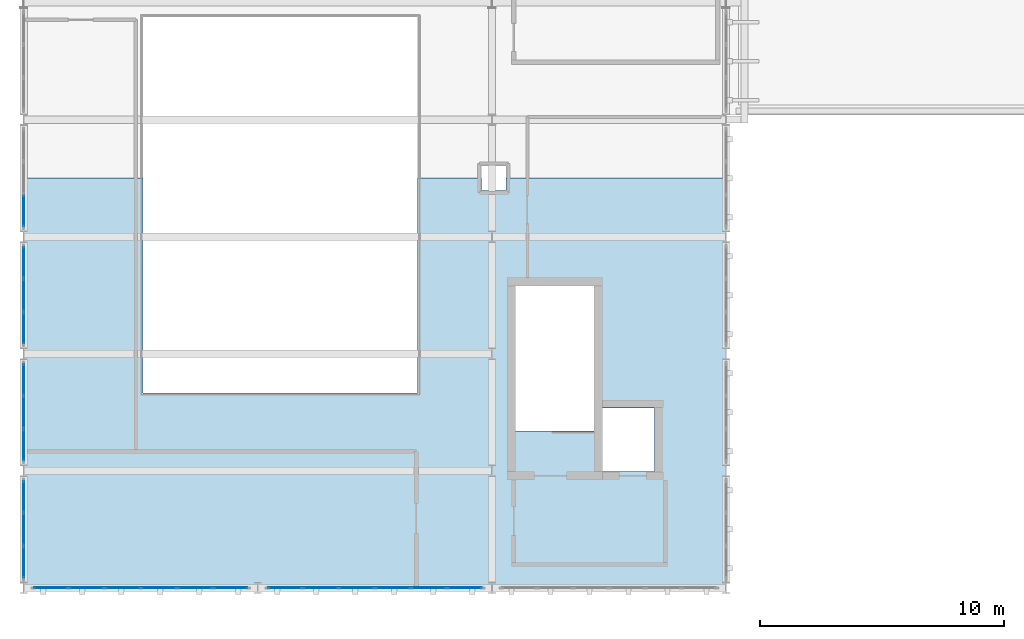
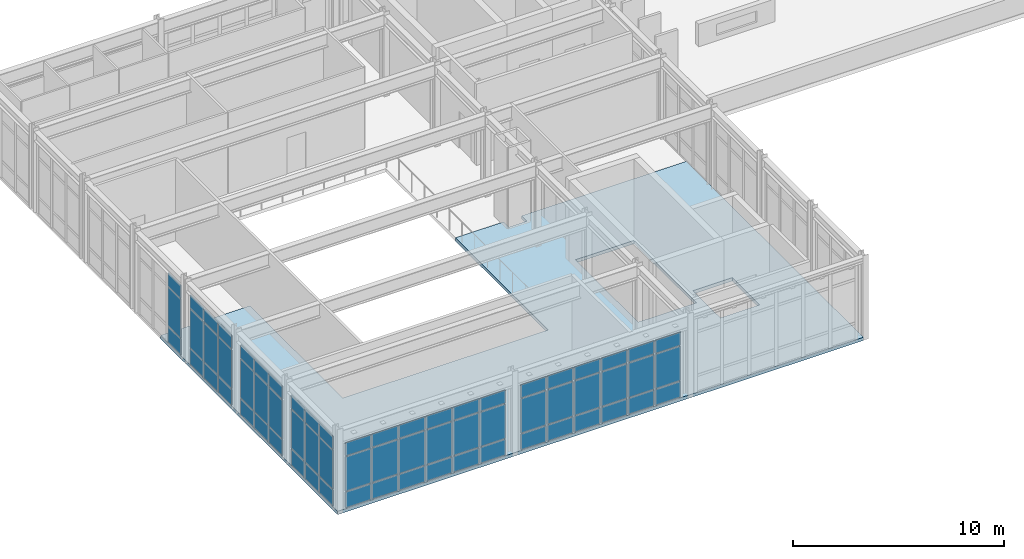
# One storey, part 10 of 16: 66 plates, 1 slab, 6 elements without a shape of their own.
"""IFC4 building model written with IfcOpenShell, lengths in metres."""

from ifc_helpers import new_model, si_unit, direction, frame, origin, origin_2d, place, context, subcontext, project, spatial, polyline, rectangle, outline, extrude, material, layer, layer_set, type_object, element, aggregate, save


model = new_model("IFC4")

# Units and contexts
model_context = context("Model", 3, precision=1e-05, world=origin(), true_north=direction((0.0, 1.0)))
body_context = subcontext(model_context, "Body", "Model", "MODEL_VIEW")
ifc_project = project(units=[si_unit("LENGTHUNIT", "METRE"), si_unit("AREAUNIT", "SQUARE_METRE"), si_unit("VOLUMEUNIT", "CUBIC_METRE"), si_unit("PLANEANGLEUNIT", "RADIAN"), si_unit("MASSUNIT", "GRAM", prefix="KILO")], contexts=[model_context])

# Site, building, storey
site_placement = place(None, origin())
site = spatial("IfcSite", under=ifc_project, at=site_placement, CompositionType="ELEMENT")
building_placement = place(site_placement, origin())
building = spatial("IfcBuilding", under=site, at=building_placement, Name="Nordkorset Police Headquarters", CompositionType="ELEMENT")
storey_placement = place(building_placement, frame((0.0, 0.0, 31.14990234375)))
storey = spatial("IfcBuildingStorey", under=building, at=storey_placement, Name="L07", CompositionType="ELEMENT", Elevation=31.14990234375)

# Curtain wall, plates
ifc_material_1 = material(Name="Aluminium alloy AW-6060", Category="aluminium")
ifc_layer_1 = layer(ifc_material_1, 0.179931640625, Name="Aluminium alloy AW-6060")
ifc_layer_set_1 = layer_set([ifc_layer_1], Name="Aluminium alloy AW-6060")
curtain_wall_type_1 = type_object("IfcCurtainWallType", Name="CW_Unit_408x415", PredefinedType="USERDEFINED", material=ifc_layer_set_1)
curtain_wall_1_placement = place(storey_placement, origin())
curtain_wall_1 = element("IfcCurtainWall", 1, at=curtain_wall_1_placement, inside=storey, type_object=curtain_wall_type_1, Name="Unitised Curtain Wall L07 V1W-0", ObjectType="UNITISED CURTAIN WALL", PredefinedType="USERDEFINED")
ifc_material_2 = material(Name="Low-iron triple glazing", Category="glass")
ifc_layer_2 = layer(ifc_material_2, 0.035888671875, Name="Low-iron triple glazing")
ifc_layer_set_2 = layer_set([ifc_layer_2], Name="Low-iron triple glazing")
plate_type = type_object("IfcPlateType", Name="CW_Panel_TripleGlazing_36", PredefinedType="CURTAIN_PANEL", material=ifc_layer_set_2)
plate_1_placement = place(storey_placement, frame((0.0, 84.25634765625, 0.06494140625), z_axis=(0.0, 0.0, 1.0), x_axis=(0.0, 1.0, 0.0)))
plate_1 = element("IfcPlate", 2, at=plate_1_placement, type_object=plate_type, Name="CW-101 panel 1.1", PredefinedType="CURTAIN_PANEL", context=body_context, shape_type="SweptSolid", body=[
    extrude(rectangle(XDim=1.262451171875, YDim=0.035888671875, at=origin_2d()), origin(), (0.0, 0.0, 1.0), 0.902587890625),
])
plate_2_placement = place(storey_placement, frame((0.0, 84.25634765625, 1.03271484375), z_axis=(0.0, 0.0, 1.0), x_axis=(0.0, 1.0, 0.0)))
plate_2 = element("IfcPlate", 3, at=plate_2_placement, type_object=plate_type, Name="CW-101 panel 1.2", PredefinedType="CURTAIN_PANEL", context=body_context, shape_type="SweptSolid", body=[
    extrude(rectangle(XDim=1.262451171875, YDim=0.035888671875, at=origin_2d()), origin(), (0.0, 0.0, 1.0), 2.235107421875),
])
plate_3_placement = place(storey_placement, frame((0.0, 84.25634765625, 3.33251953125), z_axis=(0.0, 0.0, 1.0), x_axis=(0.0, 1.0, 0.0)))
plate_3 = element("IfcPlate", 4, at=plate_3_placement, type_object=plate_type, Name="CW-101 panel 1.3", PredefinedType="CURTAIN_PANEL", context=body_context, shape_type="SweptSolid", body=[
    extrude(rectangle(XDim=1.262451171875, YDim=0.035888671875, at=origin_2d()), origin(), (0.0, 0.0, 1.0), 0.75244140625),
])
plate_4_placement = place(storey_placement, frame((0.0, 85.60009765625, 0.06494140625), z_axis=(0.0, 0.0, 1.0), x_axis=(0.0, 1.0, 0.0)))
plate_4 = element("IfcPlate", 5, at=plate_4_placement, type_object=plate_type, Name="CW-101 panel 2.1", PredefinedType="CURTAIN_PANEL", context=body_context, shape_type="SweptSolid", body=[
    extrude(rectangle(XDim=1.294921875, YDim=0.035888671875, at=origin_2d()), origin(), (0.0, 0.0, 1.0), 0.902587890625),
])
plate_5_placement = place(storey_placement, frame((0.0, 85.60009765625, 1.03271484375), z_axis=(0.0, 0.0, 1.0), x_axis=(0.0, 1.0, 0.0)))
plate_5 = element("IfcPlate", 6, at=plate_5_placement, type_object=plate_type, Name="CW-101 panel 2.2", PredefinedType="CURTAIN_PANEL", context=body_context, shape_type="SweptSolid", body=[
    extrude(rectangle(XDim=1.294921875, YDim=0.035888671875, at=origin_2d()), origin(), (0.0, 0.0, 1.0), 2.235107421875),
])
plate_6_placement = place(storey_placement, frame((0.0, 85.60009765625, 3.33251953125), z_axis=(0.0, 0.0, 1.0), x_axis=(0.0, 1.0, 0.0)))
plate_6 = element("IfcPlate", 7, at=plate_6_placement, type_object=plate_type, Name="CW-101 panel 2.3", PredefinedType="CURTAIN_PANEL", context=body_context, shape_type="SweptSolid", body=[
    extrude(rectangle(XDim=1.294921875, YDim=0.035888671875, at=origin_2d()), origin(), (0.0, 0.0, 1.0), 0.75244140625),
])
plate_7_placement = place(storey_placement, frame((0.0, 86.94384765625, 0.06494140625), z_axis=(0.0, 0.0, 1.0), x_axis=(0.0, 1.0, 0.0)))
plate_7 = element("IfcPlate", 8, at=plate_7_placement, type_object=plate_type, Name="CW-101 panel 3.1", PredefinedType="CURTAIN_PANEL", context=body_context, shape_type="SweptSolid", body=[
    extrude(rectangle(XDim=1.262451171875, YDim=0.035888671875, at=origin_2d()), origin(), (0.0, 0.0, 1.0), 0.902587890625),
])
plate_8_placement = place(storey_placement, frame((0.0, 86.94384765625, 1.03271484375), z_axis=(0.0, 0.0, 1.0), x_axis=(0.0, 1.0, 0.0)))
plate_8 = element("IfcPlate", 9, at=plate_8_placement, type_object=plate_type, Name="CW-101 panel 3.2", PredefinedType="CURTAIN_PANEL", context=body_context, shape_type="SweptSolid", body=[
    extrude(rectangle(XDim=1.262451171875, YDim=0.035888671875, at=origin_2d()), origin(), (0.0, 0.0, 1.0), 2.235107421875),
])
plate_9_placement = place(storey_placement, frame((0.0, 86.94384765625, 3.33251953125), z_axis=(0.0, 0.0, 1.0), x_axis=(0.0, 1.0, 0.0)))
plate_9 = element("IfcPlate", 10, at=plate_9_placement, type_object=plate_type, Name="CW-101 panel 3.3", PredefinedType="CURTAIN_PANEL", context=body_context, shape_type="SweptSolid", body=[
    extrude(rectangle(XDim=1.262451171875, YDim=0.035888671875, at=origin_2d()), origin(), (0.0, 0.0, 1.0), 0.75244140625),
])
aggregate(curtain_wall_1, [plate_1, plate_2, plate_3, plate_4, plate_5, plate_6, plate_7, plate_8, plate_9])

curtain_wall_2_placement = place(storey_placement, origin())
curtain_wall_2 = element("IfcCurtainWall", 11, at=curtain_wall_2_placement, inside=storey, type_object=curtain_wall_type_1, Name="Unitised Curtain Wall L07 V1W-1", ObjectType="UNITISED CURTAIN WALL", PredefinedType="USERDEFINED")
plate_10_placement = place(storey_placement, frame((0.0, 89.05615234375, 0.06494140625), z_axis=(0.0, 0.0, 1.0), x_axis=(0.0, 1.0, 0.0)))
plate_10 = element("IfcPlate", 12, at=plate_10_placement, type_object=plate_type, Name="CW-101 panel 1.1", PredefinedType="CURTAIN_PANEL", context=body_context, shape_type="SweptSolid", body=[
    extrude(rectangle(XDim=1.262451171875, YDim=0.035888671875, at=origin_2d()), origin(), (0.0, 0.0, 1.0), 0.902587890625),
])
plate_11_placement = place(storey_placement, frame((0.0, 89.05615234375, 1.03271484375), z_axis=(0.0, 0.0, 1.0), x_axis=(0.0, 1.0, 0.0)))
plate_11 = element("IfcPlate", 13, at=plate_11_placement, type_object=plate_type, Name="CW-101 panel 1.2", PredefinedType="CURTAIN_PANEL", context=body_context, shape_type="SweptSolid", body=[
    extrude(rectangle(XDim=1.262451171875, YDim=0.035888671875, at=origin_2d()), origin(), (0.0, 0.0, 1.0), 2.235107421875),
])
plate_12_placement = place(storey_placement, frame((0.0, 89.05615234375, 3.33251953125), z_axis=(0.0, 0.0, 1.0), x_axis=(0.0, 1.0, 0.0)))
plate_12 = element("IfcPlate", 14, at=plate_12_placement, type_object=plate_type, Name="CW-101 panel 1.3", PredefinedType="CURTAIN_PANEL", context=body_context, shape_type="SweptSolid", body=[
    extrude(rectangle(XDim=1.262451171875, YDim=0.035888671875, at=origin_2d()), origin(), (0.0, 0.0, 1.0), 0.75244140625),
])
plate_13_placement = place(storey_placement, frame((0.0, 90.39990234375, 0.06494140625), z_axis=(0.0, 0.0, 1.0), x_axis=(0.0, 1.0, 0.0)))
plate_13 = element("IfcPlate", 15, at=plate_13_placement, type_object=plate_type, Name="CW-101 panel 2.1", PredefinedType="CURTAIN_PANEL", context=body_context, shape_type="SweptSolid", body=[
    extrude(rectangle(XDim=1.294921875, YDim=0.035888671875, at=origin_2d()), origin(), (0.0, 0.0, 1.0), 0.902587890625),
])
plate_14_placement = place(storey_placement, frame((0.0, 90.39990234375, 1.03271484375), z_axis=(0.0, 0.0, 1.0), x_axis=(0.0, 1.0, 0.0)))
plate_14 = element("IfcPlate", 16, at=plate_14_placement, type_object=plate_type, Name="CW-101 panel 2.2", PredefinedType="CURTAIN_PANEL", context=body_context, shape_type="SweptSolid", body=[
    extrude(rectangle(XDim=1.294921875, YDim=0.035888671875, at=origin_2d()), origin(), (0.0, 0.0, 1.0), 2.235107421875),
])
plate_15_placement = place(storey_placement, frame((0.0, 90.39990234375, 3.33251953125), z_axis=(0.0, 0.0, 1.0), x_axis=(0.0, 1.0, 0.0)))
plate_15 = element("IfcPlate", 17, at=plate_15_placement, type_object=plate_type, Name="CW-101 panel 2.3", PredefinedType="CURTAIN_PANEL", context=body_context, shape_type="SweptSolid", body=[
    extrude(rectangle(XDim=1.294921875, YDim=0.035888671875, at=origin_2d()), origin(), (0.0, 0.0, 1.0), 0.75244140625),
])
plate_16_placement = place(storey_placement, frame((0.0, 91.74365234375, 0.06494140625), z_axis=(0.0, 0.0, 1.0), x_axis=(0.0, 1.0, 0.0)))
plate_16 = element("IfcPlate", 18, at=plate_16_placement, type_object=plate_type, Name="CW-101 panel 3.1", PredefinedType="CURTAIN_PANEL", context=body_context, shape_type="SweptSolid", body=[
    extrude(rectangle(XDim=1.262451171875, YDim=0.035888671875, at=origin_2d()), origin(), (0.0, 0.0, 1.0), 0.902587890625),
])
plate_17_placement = place(storey_placement, frame((0.0, 91.74365234375, 1.03271484375), z_axis=(0.0, 0.0, 1.0), x_axis=(0.0, 1.0, 0.0)))
plate_17 = element("IfcPlate", 19, at=plate_17_placement, type_object=plate_type, Name="CW-101 panel 3.2", PredefinedType="CURTAIN_PANEL", context=body_context, shape_type="SweptSolid", body=[
    extrude(rectangle(XDim=1.262451171875, YDim=0.035888671875, at=origin_2d()), origin(), (0.0, 0.0, 1.0), 2.235107421875),
])
plate_18_placement = place(storey_placement, frame((0.0, 91.74365234375, 3.33251953125), z_axis=(0.0, 0.0, 1.0), x_axis=(0.0, 1.0, 0.0)))
plate_18 = element("IfcPlate", 20, at=plate_18_placement, type_object=plate_type, Name="CW-101 panel 3.3", PredefinedType="CURTAIN_PANEL", context=body_context, shape_type="SweptSolid", body=[
    extrude(rectangle(XDim=1.262451171875, YDim=0.035888671875, at=origin_2d()), origin(), (0.0, 0.0, 1.0), 0.75244140625),
])
aggregate(curtain_wall_2, [plate_10, plate_11, plate_12, plate_13, plate_14, plate_15, plate_16, plate_17, plate_18])

curtain_wall_3_placement = place(storey_placement, origin())
curtain_wall_3 = element("IfcCurtainWall", 21, at=curtain_wall_3_placement, inside=storey, type_object=curtain_wall_type_1, Name="Unitised Curtain Wall L07 V1W-2", ObjectType="UNITISED CURTAIN WALL", PredefinedType="USERDEFINED")
plate_19_placement = place(storey_placement, frame((0.0, 93.856201171875, 0.06494140625), z_axis=(0.0, 0.0, 1.0), x_axis=(0.0, 1.0, 0.0)))
plate_19 = element("IfcPlate", 22, at=plate_19_placement, type_object=plate_type, Name="CW-101 panel 1.1", PredefinedType="CURTAIN_PANEL", context=body_context, shape_type="SweptSolid", body=[
    extrude(rectangle(XDim=1.262451171875, YDim=0.035888671875, at=origin_2d()), origin(), (0.0, 0.0, 1.0), 0.902587890625),
])
plate_20_placement = place(storey_placement, frame((0.0, 93.856201171875, 1.03271484375), z_axis=(0.0, 0.0, 1.0), x_axis=(0.0, 1.0, 0.0)))
plate_20 = element("IfcPlate", 23, at=plate_20_placement, type_object=plate_type, Name="CW-101 panel 1.2", PredefinedType="CURTAIN_PANEL", context=body_context, shape_type="SweptSolid", body=[
    extrude(rectangle(XDim=1.262451171875, YDim=0.035888671875, at=origin_2d()), origin(), (0.0, 0.0, 1.0), 2.235107421875),
])
plate_21_placement = place(storey_placement, frame((0.0, 93.856201171875, 3.33251953125), z_axis=(0.0, 0.0, 1.0), x_axis=(0.0, 1.0, 0.0)))
plate_21 = element("IfcPlate", 24, at=plate_21_placement, type_object=plate_type, Name="CW-101 panel 1.3", PredefinedType="CURTAIN_PANEL", context=body_context, shape_type="SweptSolid", body=[
    extrude(rectangle(XDim=1.262451171875, YDim=0.035888671875, at=origin_2d()), origin(), (0.0, 0.0, 1.0), 0.75244140625),
])
plate_22_placement = place(storey_placement, frame((0.0, 95.199951171875, 0.06494140625), z_axis=(0.0, 0.0, 1.0), x_axis=(0.0, 1.0, 0.0)))
plate_22 = element("IfcPlate", 25, at=plate_22_placement, type_object=plate_type, Name="CW-101 panel 2.1", PredefinedType="CURTAIN_PANEL", context=body_context, shape_type="SweptSolid", body=[
    extrude(rectangle(XDim=1.294921875, YDim=0.035888671875, at=origin_2d()), origin(), (0.0, 0.0, 1.0), 0.902587890625),
])
plate_23_placement = place(storey_placement, frame((0.0, 95.199951171875, 1.03271484375), z_axis=(0.0, 0.0, 1.0), x_axis=(0.0, 1.0, 0.0)))
plate_23 = element("IfcPlate", 26, at=plate_23_placement, type_object=plate_type, Name="CW-101 panel 2.2", PredefinedType="CURTAIN_PANEL", context=body_context, shape_type="SweptSolid", body=[
    extrude(rectangle(XDim=1.294921875, YDim=0.035888671875, at=origin_2d()), origin(), (0.0, 0.0, 1.0), 2.235107421875),
])
plate_24_placement = place(storey_placement, frame((0.0, 95.199951171875, 3.33251953125), z_axis=(0.0, 0.0, 1.0), x_axis=(0.0, 1.0, 0.0)))
plate_24 = element("IfcPlate", 27, at=plate_24_placement, type_object=plate_type, Name="CW-101 panel 2.3", PredefinedType="CURTAIN_PANEL", context=body_context, shape_type="SweptSolid", body=[
    extrude(rectangle(XDim=1.294921875, YDim=0.035888671875, at=origin_2d()), origin(), (0.0, 0.0, 1.0), 0.75244140625),
])
plate_25_placement = place(storey_placement, frame((0.0, 96.543701171875, 0.06494140625), z_axis=(0.0, 0.0, 1.0), x_axis=(0.0, 1.0, 0.0)))
plate_25 = element("IfcPlate", 28, at=plate_25_placement, type_object=plate_type, Name="CW-101 panel 3.1", PredefinedType="CURTAIN_PANEL", context=body_context, shape_type="SweptSolid", body=[
    extrude(rectangle(XDim=1.262451171875, YDim=0.035888671875, at=origin_2d()), origin(), (0.0, 0.0, 1.0), 0.902587890625),
])
plate_26_placement = place(storey_placement, frame((0.0, 96.543701171875, 1.03271484375), z_axis=(0.0, 0.0, 1.0), x_axis=(0.0, 1.0, 0.0)))
plate_26 = element("IfcPlate", 29, at=plate_26_placement, type_object=plate_type, Name="CW-101 panel 3.2", PredefinedType="CURTAIN_PANEL", context=body_context, shape_type="SweptSolid", body=[
    extrude(rectangle(XDim=1.262451171875, YDim=0.035888671875, at=origin_2d()), origin(), (0.0, 0.0, 1.0), 2.235107421875),
])
plate_27_placement = place(storey_placement, frame((0.0, 96.543701171875, 3.33251953125), z_axis=(0.0, 0.0, 1.0), x_axis=(0.0, 1.0, 0.0)))
plate_27 = element("IfcPlate", 30, at=plate_27_placement, type_object=plate_type, Name="CW-101 panel 3.3", PredefinedType="CURTAIN_PANEL", context=body_context, shape_type="SweptSolid", body=[
    extrude(rectangle(XDim=1.262451171875, YDim=0.035888671875, at=origin_2d()), origin(), (0.0, 0.0, 1.0), 0.75244140625),
])
aggregate(curtain_wall_3, [plate_19, plate_20, plate_21, plate_22, plate_23, plate_24, plate_25, plate_26, plate_27])

curtain_wall_4_placement = place(storey_placement, origin())
curtain_wall_4 = element("IfcCurtainWall", 31, at=curtain_wall_4_placement, inside=storey, type_object=curtain_wall_type_1, Name="Unitised Curtain Wall L07 V1W-3", ObjectType="UNITISED CURTAIN WALL", PredefinedType="USERDEFINED")
plate_28_placement = place(storey_placement, frame((0.0, 98.65625, 0.06494140625), z_axis=(0.0, 0.0, 1.0), x_axis=(0.0, 1.0, 0.0)))
plate_28 = element("IfcPlate", 32, at=plate_28_placement, type_object=plate_type, Name="CW-101 panel 1.1", PredefinedType="CURTAIN_PANEL", context=body_context, shape_type="SweptSolid", body=[
    extrude(rectangle(XDim=1.262451171875, YDim=0.035888671875, at=origin_2d()), origin(), (0.0, 0.0, 1.0), 0.902587890625),
])
plate_29_placement = place(storey_placement, frame((0.0, 98.65625, 1.03271484375), z_axis=(0.0, 0.0, 1.0), x_axis=(0.0, 1.0, 0.0)))
plate_29 = element("IfcPlate", 33, at=plate_29_placement, type_object=plate_type, Name="CW-101 panel 1.2", PredefinedType="CURTAIN_PANEL", context=body_context, shape_type="SweptSolid", body=[
    extrude(rectangle(XDim=1.262451171875, YDim=0.035888671875, at=origin_2d()), origin(), (0.0, 0.0, 1.0), 2.235107421875),
])
plate_30_placement = place(storey_placement, frame((0.0, 98.65625, 3.33251953125), z_axis=(0.0, 0.0, 1.0), x_axis=(0.0, 1.0, 0.0)))
plate_30 = element("IfcPlate", 34, at=plate_30_placement, type_object=plate_type, Name="CW-101 panel 1.3", PredefinedType="CURTAIN_PANEL", context=body_context, shape_type="SweptSolid", body=[
    extrude(rectangle(XDim=1.262451171875, YDim=0.035888671875, at=origin_2d()), origin(), (0.0, 0.0, 1.0), 0.75244140625),
])
aggregate(curtain_wall_4, [plate_28, plate_29, plate_30])

ifc_material_3 = material(Name="Aluminium alloy AW-6060", Category="aluminium")
ifc_layer_3 = layer(ifc_material_3, 0.179931640625, Name="Aluminium alloy AW-6060")
ifc_layer_set_3 = layer_set([ifc_layer_3], Name="Aluminium alloy AW-6060")
curtain_wall_type_2 = type_object("IfcCurtainWallType", Name="CW_Unit_888x389", PredefinedType="USERDEFINED", material=ifc_layer_set_3)
curtain_wall_5_placement = place(storey_placement, origin())
curtain_wall_5 = element("IfcCurtainWall", 35, at=curtain_wall_5_placement, inside=storey, type_object=curtain_wall_type_2, Name="Unitised Curtain Wall L07 V1S-0", ObjectType="UNITISED CURTAIN WALL", PredefinedType="USERDEFINED")
plate_31_placement = place(storey_placement, frame((1.1162109375, 83.199951171875, 0.06494140625), z_axis=(0.0, 0.0, 1.0), x_axis=(1.0, 0.0, 0.0)))
plate_31 = element("IfcPlate", 36, at=plate_31_placement, type_object=plate_type, Name="CW-76 panel 1.1", PredefinedType="CURTAIN_PANEL", context=body_context, shape_type="SweptSolid", body=[
    extrude(rectangle(XDim=1.382568359375, YDim=0.035888671875, at=origin_2d()), origin(), (0.0, 0.0, 1.0), 0.902587890625),
])
plate_32_placement = place(storey_placement, frame((1.1162109375, 83.199951171875, 1.032470703125), z_axis=(0.0, 0.0, 1.0), x_axis=(1.0, 0.0, 0.0)))
plate_32 = element("IfcPlate", 37, at=plate_32_placement, type_object=plate_type, Name="CW-76 panel 1.2", PredefinedType="CURTAIN_PANEL", context=body_context, shape_type="SweptSolid", body=[
    extrude(rectangle(XDim=1.382568359375, YDim=0.035888671875, at=origin_2d()), origin(), (0.0, 0.0, 1.0), 1.97509765625),
])
plate_33_placement = place(storey_placement, frame((1.1162109375, 83.199951171875, 3.072509765625), z_axis=(0.0, 0.0, 1.0), x_axis=(1.0, 0.0, 0.0)))
plate_33 = element("IfcPlate", 38, at=plate_33_placement, type_object=plate_type, Name="CW-76 panel 1.3", PredefinedType="CURTAIN_PANEL", context=body_context, shape_type="SweptSolid", body=[
    extrude(rectangle(XDim=1.382568359375, YDim=0.035888671875, at=origin_2d()), origin(), (0.0, 0.0, 1.0), 0.75244140625),
])
plate_34_placement = place(storey_placement, frame((2.580078125, 83.199951171875, 0.06494140625), z_axis=(0.0, 0.0, 1.0), x_axis=(1.0, 0.0, 0.0)))
plate_34 = element("IfcPlate", 39, at=plate_34_placement, type_object=plate_type, Name="CW-76 panel 2.1", PredefinedType="CURTAIN_PANEL", context=body_context, shape_type="SweptSolid", body=[
    extrude(rectangle(XDim=1.4150390625, YDim=0.035888671875, at=origin_2d()), origin(), (0.0, 0.0, 1.0), 0.902587890625),
])
plate_35_placement = place(storey_placement, frame((2.580078125, 83.199951171875, 1.032470703125), z_axis=(0.0, 0.0, 1.0), x_axis=(1.0, 0.0, 0.0)))
plate_35 = element("IfcPlate", 40, at=plate_35_placement, type_object=plate_type, Name="CW-76 panel 2.2", PredefinedType="CURTAIN_PANEL", context=body_context, shape_type="SweptSolid", body=[
    extrude(rectangle(XDim=1.4150390625, YDim=0.035888671875, at=origin_2d()), origin(), (0.0, 0.0, 1.0), 1.97509765625),
])
plate_36_placement = place(storey_placement, frame((2.580078125, 83.199951171875, 3.072509765625), z_axis=(0.0, 0.0, 1.0), x_axis=(1.0, 0.0, 0.0)))
plate_36 = element("IfcPlate", 41, at=plate_36_placement, type_object=plate_type, Name="CW-76 panel 2.3", PredefinedType="CURTAIN_PANEL", context=body_context, shape_type="SweptSolid", body=[
    extrude(rectangle(XDim=1.4150390625, YDim=0.035888671875, at=origin_2d()), origin(), (0.0, 0.0, 1.0), 0.75244140625),
])
plate_37_placement = place(storey_placement, frame((4.06005859375, 83.199951171875, 0.06494140625), z_axis=(0.0, 0.0, 1.0), x_axis=(1.0, 0.0, 0.0)))
plate_37 = element("IfcPlate", 42, at=plate_37_placement, type_object=plate_type, Name="CW-76 panel 3.1", PredefinedType="CURTAIN_PANEL", context=body_context, shape_type="SweptSolid", body=[
    extrude(rectangle(XDim=1.4150390625, YDim=0.035888671875, at=origin_2d()), origin(), (0.0, 0.0, 1.0), 0.902587890625),
])
plate_38_placement = place(storey_placement, frame((4.06005859375, 83.199951171875, 1.032470703125), z_axis=(0.0, 0.0, 1.0), x_axis=(1.0, 0.0, 0.0)))
plate_38 = element("IfcPlate", 43, at=plate_38_placement, type_object=plate_type, Name="CW-76 panel 3.2", PredefinedType="CURTAIN_PANEL", context=body_context, shape_type="SweptSolid", body=[
    extrude(rectangle(XDim=1.4150390625, YDim=0.035888671875, at=origin_2d()), origin(), (0.0, 0.0, 1.0), 1.97509765625),
])
plate_39_placement = place(storey_placement, frame((4.06005859375, 83.199951171875, 3.072509765625), z_axis=(0.0, 0.0, 1.0), x_axis=(1.0, 0.0, 0.0)))
plate_39 = element("IfcPlate", 44, at=plate_39_placement, type_object=plate_type, Name="CW-76 panel 3.3", PredefinedType="CURTAIN_PANEL", context=body_context, shape_type="SweptSolid", body=[
    extrude(rectangle(XDim=1.4150390625, YDim=0.035888671875, at=origin_2d()), origin(), (0.0, 0.0, 1.0), 0.75244140625),
])
plate_40_placement = place(storey_placement, frame((5.5400390625, 83.199951171875, 0.06494140625), z_axis=(0.0, 0.0, 1.0), x_axis=(1.0, 0.0, 0.0)))
plate_40 = element("IfcPlate", 45, at=plate_40_placement, type_object=plate_type, Name="CW-76 panel 4.1", PredefinedType="CURTAIN_PANEL", context=body_context, shape_type="SweptSolid", body=[
    extrude(rectangle(XDim=1.4150390625, YDim=0.035888671875, at=origin_2d()), origin(), (0.0, 0.0, 1.0), 0.902587890625),
])
plate_41_placement = place(storey_placement, frame((5.5400390625, 83.199951171875, 1.032470703125), z_axis=(0.0, 0.0, 1.0), x_axis=(1.0, 0.0, 0.0)))
plate_41 = element("IfcPlate", 46, at=plate_41_placement, type_object=plate_type, Name="CW-76 panel 4.2", PredefinedType="CURTAIN_PANEL", context=body_context, shape_type="SweptSolid", body=[
    extrude(rectangle(XDim=1.4150390625, YDim=0.035888671875, at=origin_2d()), origin(), (0.0, 0.0, 1.0), 1.97509765625),
])
plate_42_placement = place(storey_placement, frame((5.5400390625, 83.199951171875, 3.072509765625), z_axis=(0.0, 0.0, 1.0), x_axis=(1.0, 0.0, 0.0)))
plate_42 = element("IfcPlate", 47, at=plate_42_placement, type_object=plate_type, Name="CW-76 panel 4.3", PredefinedType="CURTAIN_PANEL", context=body_context, shape_type="SweptSolid", body=[
    extrude(rectangle(XDim=1.4150390625, YDim=0.035888671875, at=origin_2d()), origin(), (0.0, 0.0, 1.0), 0.75244140625),
])
plate_43_placement = place(storey_placement, frame((7.02001953125, 83.199951171875, 0.06494140625), z_axis=(0.0, 0.0, 1.0), x_axis=(1.0, 0.0, 0.0)))
plate_43 = element("IfcPlate", 48, at=plate_43_placement, type_object=plate_type, Name="CW-76 panel 5.1", PredefinedType="CURTAIN_PANEL", context=body_context, shape_type="SweptSolid", body=[
    extrude(rectangle(XDim=1.4150390625, YDim=0.035888671875, at=origin_2d()), origin(), (0.0, 0.0, 1.0), 0.902587890625),
])
plate_44_placement = place(storey_placement, frame((7.02001953125, 83.199951171875, 1.032470703125), z_axis=(0.0, 0.0, 1.0), x_axis=(1.0, 0.0, 0.0)))
plate_44 = element("IfcPlate", 49, at=plate_44_placement, type_object=plate_type, Name="CW-76 panel 5.2", PredefinedType="CURTAIN_PANEL", context=body_context, shape_type="SweptSolid", body=[
    extrude(rectangle(XDim=1.4150390625, YDim=0.035888671875, at=origin_2d()), origin(), (0.0, 0.0, 1.0), 1.97509765625),
])
plate_45_placement = place(storey_placement, frame((7.02001953125, 83.199951171875, 3.072509765625), z_axis=(0.0, 0.0, 1.0), x_axis=(1.0, 0.0, 0.0)))
plate_45 = element("IfcPlate", 50, at=plate_45_placement, type_object=plate_type, Name="CW-76 panel 5.3", PredefinedType="CURTAIN_PANEL", context=body_context, shape_type="SweptSolid", body=[
    extrude(rectangle(XDim=1.4150390625, YDim=0.035888671875, at=origin_2d()), origin(), (0.0, 0.0, 1.0), 0.75244140625),
])
plate_46_placement = place(storey_placement, frame((8.483642578125, 83.199951171875, 0.06494140625), z_axis=(0.0, 0.0, 1.0), x_axis=(1.0, 0.0, 0.0)))
plate_46 = element("IfcPlate", 51, at=plate_46_placement, type_object=plate_type, Name="CW-76 panel 6.1", PredefinedType="CURTAIN_PANEL", context=body_context, shape_type="SweptSolid", body=[
    extrude(rectangle(XDim=1.382568359375, YDim=0.035888671875, at=origin_2d()), origin(), (0.0, 0.0, 1.0), 0.902587890625),
])
plate_47_placement = place(storey_placement, frame((8.483642578125, 83.199951171875, 1.032470703125), z_axis=(0.0, 0.0, 1.0), x_axis=(1.0, 0.0, 0.0)))
plate_47 = element("IfcPlate", 52, at=plate_47_placement, type_object=plate_type, Name="CW-76 panel 6.2", PredefinedType="CURTAIN_PANEL", context=body_context, shape_type="SweptSolid", body=[
    extrude(rectangle(XDim=1.382568359375, YDim=0.035888671875, at=origin_2d()), origin(), (0.0, 0.0, 1.0), 1.97509765625),
])
plate_48_placement = place(storey_placement, frame((8.483642578125, 83.199951171875, 3.072509765625), z_axis=(0.0, 0.0, 1.0), x_axis=(1.0, 0.0, 0.0)))
plate_48 = element("IfcPlate", 53, at=plate_48_placement, type_object=plate_type, Name="CW-76 panel 6.3", PredefinedType="CURTAIN_PANEL", context=body_context, shape_type="SweptSolid", body=[
    extrude(rectangle(XDim=1.382568359375, YDim=0.035888671875, at=origin_2d()), origin(), (0.0, 0.0, 1.0), 0.75244140625),
])
aggregate(curtain_wall_5, [plate_31, plate_32, plate_33, plate_34, plate_35, plate_36, plate_37, plate_38, plate_39, plate_40, plate_41, plate_42, plate_43, plate_44, plate_45, plate_46, plate_47, plate_48])

curtain_wall_6_placement = place(storey_placement, origin())
curtain_wall_6 = element("IfcCurtainWall", 54, at=curtain_wall_6_placement, inside=storey, type_object=curtain_wall_type_2, Name="Unitised Curtain Wall L07 V1S-1", ObjectType="UNITISED CURTAIN WALL", PredefinedType="USERDEFINED")
plate_49_placement = place(storey_placement, frame((10.71630859375, 83.199951171875, 0.06494140625), z_axis=(0.0, 0.0, 1.0), x_axis=(1.0, 0.0, 0.0)))
plate_49 = element("IfcPlate", 55, at=plate_49_placement, type_object=plate_type, Name="CW-76 panel 1.1", PredefinedType="CURTAIN_PANEL", context=body_context, shape_type="SweptSolid", body=[
    extrude(rectangle(XDim=1.382568359375, YDim=0.035888671875, at=origin_2d()), origin(), (0.0, 0.0, 1.0), 0.902587890625),
])
plate_50_placement = place(storey_placement, frame((10.71630859375, 83.199951171875, 1.032470703125), z_axis=(0.0, 0.0, 1.0), x_axis=(1.0, 0.0, 0.0)))
plate_50 = element("IfcPlate", 56, at=plate_50_placement, type_object=plate_type, Name="CW-76 panel 1.2", PredefinedType="CURTAIN_PANEL", context=body_context, shape_type="SweptSolid", body=[
    extrude(rectangle(XDim=1.382568359375, YDim=0.035888671875, at=origin_2d()), origin(), (0.0, 0.0, 1.0), 1.97509765625),
])
plate_51_placement = place(storey_placement, frame((10.71630859375, 83.199951171875, 3.072509765625), z_axis=(0.0, 0.0, 1.0), x_axis=(1.0, 0.0, 0.0)))
plate_51 = element("IfcPlate", 57, at=plate_51_placement, type_object=plate_type, Name="CW-76 panel 1.3", PredefinedType="CURTAIN_PANEL", context=body_context, shape_type="SweptSolid", body=[
    extrude(rectangle(XDim=1.382568359375, YDim=0.035888671875, at=origin_2d()), origin(), (0.0, 0.0, 1.0), 0.75244140625),
])
plate_52_placement = place(storey_placement, frame((12.179931640625, 83.199951171875, 0.06494140625), z_axis=(0.0, 0.0, 1.0), x_axis=(1.0, 0.0, 0.0)))
plate_52 = element("IfcPlate", 58, at=plate_52_placement, type_object=plate_type, Name="CW-76 panel 2.1", PredefinedType="CURTAIN_PANEL", context=body_context, shape_type="SweptSolid", body=[
    extrude(rectangle(XDim=1.4150390625, YDim=0.035888671875, at=origin_2d()), origin(), (0.0, 0.0, 1.0), 0.902587890625),
])
plate_53_placement = place(storey_placement, frame((12.179931640625, 83.199951171875, 1.032470703125), z_axis=(0.0, 0.0, 1.0), x_axis=(1.0, 0.0, 0.0)))
plate_53 = element("IfcPlate", 59, at=plate_53_placement, type_object=plate_type, Name="CW-76 panel 2.2", PredefinedType="CURTAIN_PANEL", context=body_context, shape_type="SweptSolid", body=[
    extrude(rectangle(XDim=1.4150390625, YDim=0.035888671875, at=origin_2d()), origin(), (0.0, 0.0, 1.0), 1.97509765625),
])
plate_54_placement = place(storey_placement, frame((12.179931640625, 83.199951171875, 3.072509765625), z_axis=(0.0, 0.0, 1.0), x_axis=(1.0, 0.0, 0.0)))
plate_54 = element("IfcPlate", 60, at=plate_54_placement, type_object=plate_type, Name="CW-76 panel 2.3", PredefinedType="CURTAIN_PANEL", context=body_context, shape_type="SweptSolid", body=[
    extrude(rectangle(XDim=1.4150390625, YDim=0.035888671875, at=origin_2d()), origin(), (0.0, 0.0, 1.0), 0.75244140625),
])
plate_55_placement = place(storey_placement, frame((13.659912109375, 83.199951171875, 0.06494140625), z_axis=(0.0, 0.0, 1.0), x_axis=(1.0, 0.0, 0.0)))
plate_55 = element("IfcPlate", 61, at=plate_55_placement, type_object=plate_type, Name="CW-76 panel 3.1", PredefinedType="CURTAIN_PANEL", context=body_context, shape_type="SweptSolid", body=[
    extrude(rectangle(XDim=1.4150390625, YDim=0.035888671875, at=origin_2d()), origin(), (0.0, 0.0, 1.0), 0.902587890625),
])
plate_56_placement = place(storey_placement, frame((13.659912109375, 83.199951171875, 1.032470703125), z_axis=(0.0, 0.0, 1.0), x_axis=(1.0, 0.0, 0.0)))
plate_56 = element("IfcPlate", 62, at=plate_56_placement, type_object=plate_type, Name="CW-76 panel 3.2", PredefinedType="CURTAIN_PANEL", context=body_context, shape_type="SweptSolid", body=[
    extrude(rectangle(XDim=1.4150390625, YDim=0.035888671875, at=origin_2d()), origin(), (0.0, 0.0, 1.0), 1.97509765625),
])
plate_57_placement = place(storey_placement, frame((13.659912109375, 83.199951171875, 3.072509765625), z_axis=(0.0, 0.0, 1.0), x_axis=(1.0, 0.0, 0.0)))
plate_57 = element("IfcPlate", 63, at=plate_57_placement, type_object=plate_type, Name="CW-76 panel 3.3", PredefinedType="CURTAIN_PANEL", context=body_context, shape_type="SweptSolid", body=[
    extrude(rectangle(XDim=1.4150390625, YDim=0.035888671875, at=origin_2d()), origin(), (0.0, 0.0, 1.0), 0.75244140625),
])
plate_58_placement = place(storey_placement, frame((15.139892578125, 83.199951171875, 0.06494140625), z_axis=(0.0, 0.0, 1.0), x_axis=(1.0, 0.0, 0.0)))
plate_58 = element("IfcPlate", 64, at=plate_58_placement, type_object=plate_type, Name="CW-76 panel 4.1", PredefinedType="CURTAIN_PANEL", context=body_context, shape_type="SweptSolid", body=[
    extrude(rectangle(XDim=1.4150390625, YDim=0.035888671875, at=origin_2d()), origin(), (0.0, 0.0, 1.0), 0.902587890625),
])
plate_59_placement = place(storey_placement, frame((15.139892578125, 83.199951171875, 1.032470703125), z_axis=(0.0, 0.0, 1.0), x_axis=(1.0, 0.0, 0.0)))
plate_59 = element("IfcPlate", 65, at=plate_59_placement, type_object=plate_type, Name="CW-76 panel 4.2", PredefinedType="CURTAIN_PANEL", context=body_context, shape_type="SweptSolid", body=[
    extrude(rectangle(XDim=1.4150390625, YDim=0.035888671875, at=origin_2d()), origin(), (0.0, 0.0, 1.0), 1.97509765625),
])
plate_60_placement = place(storey_placement, frame((15.139892578125, 83.199951171875, 3.072509765625), z_axis=(0.0, 0.0, 1.0), x_axis=(1.0, 0.0, 0.0)))
plate_60 = element("IfcPlate", 66, at=plate_60_placement, type_object=plate_type, Name="CW-76 panel 4.3", PredefinedType="CURTAIN_PANEL", context=body_context, shape_type="SweptSolid", body=[
    extrude(rectangle(XDim=1.4150390625, YDim=0.035888671875, at=origin_2d()), origin(), (0.0, 0.0, 1.0), 0.75244140625),
])
plate_61_placement = place(storey_placement, frame((16.6201171875, 83.199951171875, 0.06494140625), z_axis=(0.0, 0.0, 1.0), x_axis=(1.0, 0.0, 0.0)))
plate_61 = element("IfcPlate", 67, at=plate_61_placement, type_object=plate_type, Name="CW-76 panel 5.1", PredefinedType="CURTAIN_PANEL", context=body_context, shape_type="SweptSolid", body=[
    extrude(rectangle(XDim=1.4150390625, YDim=0.035888671875, at=origin_2d()), origin(), (0.0, 0.0, 1.0), 0.902587890625),
])
plate_62_placement = place(storey_placement, frame((16.6201171875, 83.199951171875, 1.032470703125), z_axis=(0.0, 0.0, 1.0), x_axis=(1.0, 0.0, 0.0)))
plate_62 = element("IfcPlate", 68, at=plate_62_placement, type_object=plate_type, Name="CW-76 panel 5.2", PredefinedType="CURTAIN_PANEL", context=body_context, shape_type="SweptSolid", body=[
    extrude(rectangle(XDim=1.4150390625, YDim=0.035888671875, at=origin_2d()), origin(), (0.0, 0.0, 1.0), 1.97509765625),
])
plate_63_placement = place(storey_placement, frame((16.6201171875, 83.199951171875, 3.072509765625), z_axis=(0.0, 0.0, 1.0), x_axis=(1.0, 0.0, 0.0)))
plate_63 = element("IfcPlate", 69, at=plate_63_placement, type_object=plate_type, Name="CW-76 panel 5.3", PredefinedType="CURTAIN_PANEL", context=body_context, shape_type="SweptSolid", body=[
    extrude(rectangle(XDim=1.4150390625, YDim=0.035888671875, at=origin_2d()), origin(), (0.0, 0.0, 1.0), 0.75244140625),
])
plate_64_placement = place(storey_placement, frame((18.083740234375, 83.199951171875, 0.06494140625), z_axis=(0.0, 0.0, 1.0), x_axis=(1.0, 0.0, 0.0)))
plate_64 = element("IfcPlate", 70, at=plate_64_placement, type_object=plate_type, Name="CW-76 panel 6.1", PredefinedType="CURTAIN_PANEL", context=body_context, shape_type="SweptSolid", body=[
    extrude(rectangle(XDim=1.382568359375, YDim=0.035888671875, at=origin_2d()), origin(), (0.0, 0.0, 1.0), 0.902587890625),
])
plate_65_placement = place(storey_placement, frame((18.083740234375, 83.199951171875, 1.032470703125), z_axis=(0.0, 0.0, 1.0), x_axis=(1.0, 0.0, 0.0)))
plate_65 = element("IfcPlate", 71, at=plate_65_placement, type_object=plate_type, Name="CW-76 panel 6.2", PredefinedType="CURTAIN_PANEL", context=body_context, shape_type="SweptSolid", body=[
    extrude(rectangle(XDim=1.382568359375, YDim=0.035888671875, at=origin_2d()), origin(), (0.0, 0.0, 1.0), 1.97509765625),
])
plate_66_placement = place(storey_placement, frame((18.083740234375, 83.199951171875, 3.072509765625), z_axis=(0.0, 0.0, 1.0), x_axis=(1.0, 0.0, 0.0)))
plate_66 = element("IfcPlate", 72, at=plate_66_placement, type_object=plate_type, Name="CW-76 panel 6.3", PredefinedType="CURTAIN_PANEL", context=body_context, shape_type="SweptSolid", body=[
    extrude(rectangle(XDim=1.382568359375, YDim=0.035888671875, at=origin_2d()), origin(), (0.0, 0.0, 1.0), 0.75244140625),
])
aggregate(curtain_wall_6, [plate_49, plate_50, plate_51, plate_52, plate_53, plate_54, plate_55, plate_56, plate_57, plate_58, plate_59, plate_60, plate_61, plate_62, plate_63, plate_64, plate_65, plate_66])

# Slab
ifc_material_4 = material(Name="Concrete C35/45", Category="concrete")
ifc_layer_4 = layer(ifc_material_4, 0.18994140625, Name="Concrete C35/45")
ifc_layer_set_4 = layer_set([ifc_layer_4], Name="Concrete C35/45")
slab_type = type_object("IfcSlabType", Name="Slab_Crown_190", PredefinedType="FLOOR", material=ifc_layer_set_4)
slab_placement = place(storey_placement, frame((0.0, 0.0, -0.18994140625)))
element("IfcSlab", 73, at=slab_placement, inside=storey, type_object=slab_type, Name="Composite Floor Slab V1 South L07", PredefinedType="FLOOR", context=body_context, shape_type="SweptSolid", body=[
    extrude(outline(polyline([(19.780029296875, 99.5), (19.780029296875, 100.0), (28.800048828125, 100.0), (28.800048828125, 83.199951171875), (0.0, 83.199951171875), (0.0, 100.0), (4.89990234375, 100.0), (4.89990234375, 91.199951171875), (16.14990234375, 91.199951171875), (16.14990234375, 100.0), (18.780029296875, 100.0), (18.780029296875, 99.5), (19.780029296875, 99.5)]), holes=[polyline([(20.175048828125, 95.574951171875), (20.175048828125, 89.6279296875), (23.375, 89.6279296875), (23.375, 95.574951171875), (20.175048828125, 95.574951171875)]), polyline([(25.875, 90.574951171875), (23.72509765625, 90.574951171875), (23.72509765625, 87.97509765625), (25.875, 87.97509765625), (25.875, 90.574951171875)])]), origin(), (0.0, 0.0, 1.0), 0.18994140625),
])

save(model, "model.ifc")
